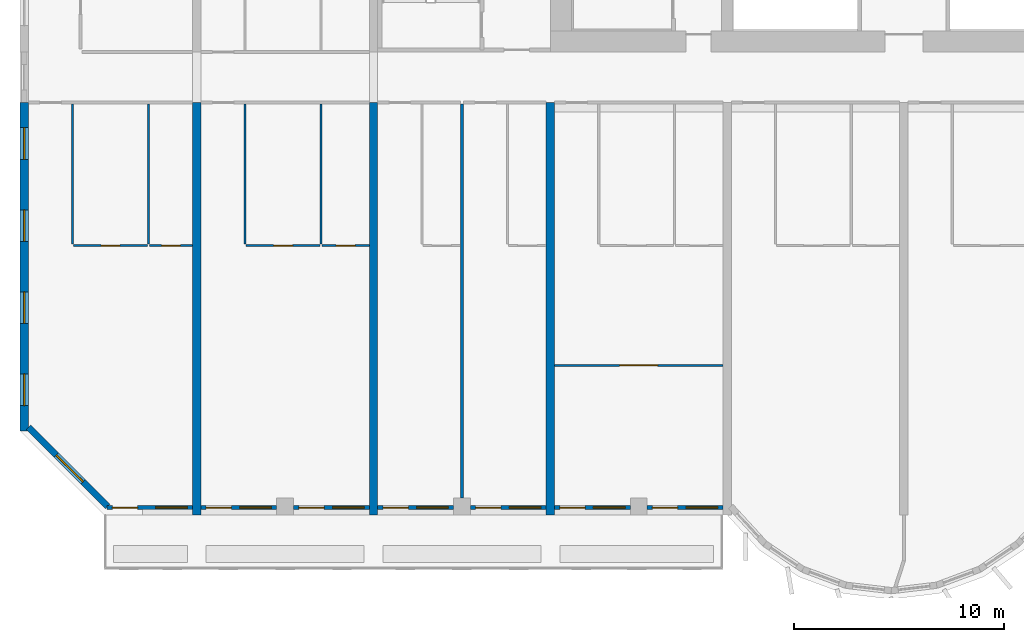
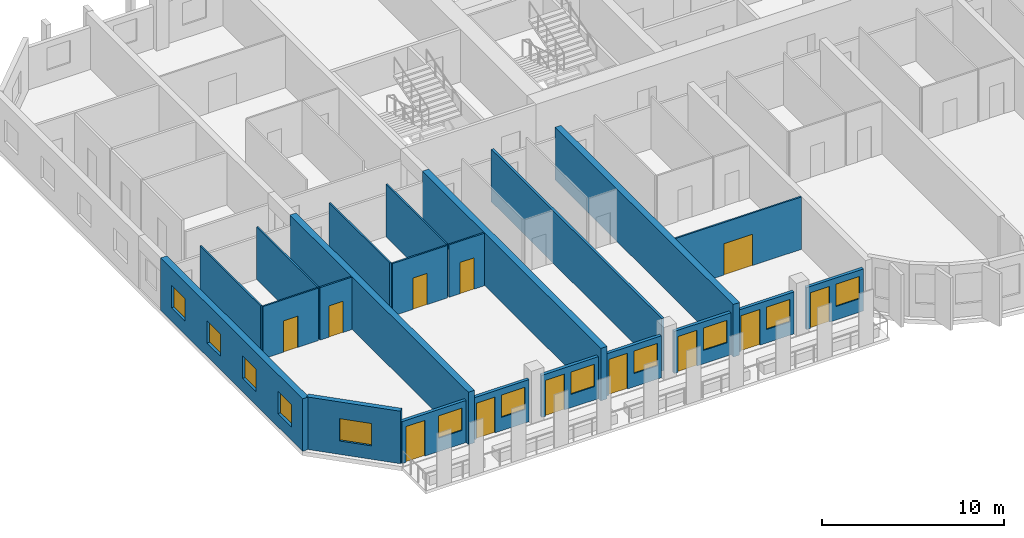
# One storey, part 2 of 15: 22 walls, 12 doors, 12 windows, 24 openings.
"""IFC4 building model written with IfcOpenShell, lengths in metres."""

from ifc_helpers import new_model, si_unit, direction, frame, frame_2d, origin, place, context, subcontext, project, spatial, rectangle, extrude, source, transform, mapped, material, layer, layer_set, type_object, element, fill, save


model = new_model("IFC4")

# Units and contexts
model_context = context("Model", 3, precision=1e-05, world=origin(), true_north=direction((0.0, 1.0)))
body_context = subcontext(model_context, "Body", "Model", "MODEL_VIEW")
ifc_project = project(units=[si_unit("LENGTHUNIT", "METRE"), si_unit("AREAUNIT", "SQUARE_METRE"), si_unit("VOLUMEUNIT", "CUBIC_METRE"), si_unit("PLANEANGLEUNIT", "RADIAN"), si_unit("MASSUNIT", "GRAM", prefix="KILO")], contexts=[model_context])

# Site, building, storey
site_placement = place(None, origin())
site = spatial("IfcSite", under=ifc_project, at=site_placement, CompositionType="ELEMENT")
building_placement = place(site_placement, origin())
building = spatial("IfcBuilding", under=site, at=building_placement, Name="Vanashikhar Sky Hotel", CompositionType="ELEMENT")
storey_placement = place(building_placement, frame((0.0, 0.0, 65.800048828125)))
storey = spatial("IfcBuildingStorey", under=building, at=storey_placement, Name="L15", CompositionType="ELEMENT", Elevation=65.800048828125)

# Wall, openings, windows
ifc_material_1 = material(Name="Concrete M80", Category="concrete")
ifc_layer_1 = layer(ifc_material_1, 0.39990234375)
ifc_layer_set_1 = layer_set([ifc_layer_1], Name="RC shear wall 400 Concrete M80")
wall_type_1 = type_object("IfcWallType", Name="RC shear wall 400 Concrete M80", PredefinedType="SHEAR", material=ifc_layer_set_1)
shared_shape_1 = source(origin(), body_context, "Body", "SweptSolid", [
    extrude(rectangle(XDim=15.60009765625, YDim=0.39990234375, at=frame_2d((7.800048828125, 0.0))), origin(), (0.0, 0.0, 1.0), 3.52001953125),
])
wall_1_placement = place(storey_placement, frame((0.199951171875, 4.0, 0.0), z_axis=(0.0, 0.0, 1.0), x_axis=(0.0, 1.0, 0.0)))
wall_1 = element("IfcWall", 1, at=wall_1_placement, inside=storey, type_object=wall_type_1, Name="CW-L15-XW01-1", PredefinedType="SHEAR", context=body_context, shape_type="MappedRepresentation", body=[
    mapped(shared_shape_1, transform((0.0, 0.0, 0.0), scale=1.0)),
])
shared_shape_2 = source(origin(), body_context, "Body", "SweptSolid", [
    extrude(rectangle(XDim=1.5, YDim=1.5, at=frame_2d((0.75, 0.75))), frame((0.0, 0.2099609375, 0.0), z_axis=(0.0, -1.0, 0.0), x_axis=(1.0, 0.0, 0.0)), (0.0, 0.0, 1.0), 0.419921875),
])
opening_1_placement = place(wall_1_placement, frame((1.199951171875, 0.0, 0.89990234375)))
opening_1 = element("IfcOpeningElement", 2, at=opening_1_placement, cuts=wall_1, Name="Opening WN-1", PredefinedType="OPENING", context=body_context, shape_type="MappedRepresentation", body=[
    mapped(shared_shape_2, transform((0.0, 0.0, 0.0), scale=1.0)),
])
opening_2_placement = place(wall_1_placement, frame((5.10009765625, 0.0, 0.89990234375)))
opening_2 = element("IfcOpeningElement", 3, at=opening_2_placement, cuts=wall_1, Name="Opening WN-1", PredefinedType="OPENING", context=body_context, shape_type="MappedRepresentation", body=[
    mapped(shared_shape_2, transform((0.0, 0.0, 0.0), scale=1.0)),
])
opening_3_placement = place(wall_1_placement, frame((9.0, 0.0, 0.89990234375)))
opening_3 = element("IfcOpeningElement", 4, at=opening_3_placement, cuts=wall_1, Name="Opening WN-1", PredefinedType="OPENING", context=body_context, shape_type="MappedRepresentation", body=[
    mapped(shared_shape_2, transform((0.0, 0.0, 0.0), scale=1.0)),
])
opening_4_placement = place(wall_1_placement, frame((12.89990234375, 0.0, 0.89990234375)))
opening_4 = element("IfcOpeningElement", 5, at=opening_4_placement, cuts=wall_1, Name="Opening WN-1", PredefinedType="OPENING", context=body_context, shape_type="MappedRepresentation", body=[
    mapped(shared_shape_2, transform((0.0, 0.0, 0.0), scale=1.0)),
])
ifc_material_2 = material(Name="Glass", Category="glass")
window_type_1 = type_object("IfcWindowType", Name="Window 1500 x 1500", PartitioningType="SINGLE_PANEL", PredefinedType="WINDOW", material=ifc_material_2)
shared_shape_3 = source(origin(), body_context, "Body", "SweptSolid", [
    extrude(rectangle(XDim=1.5, YDim=1.5, at=frame_2d((0.75, 0.75))), frame((0.0, 0.030029296875, 0.0), z_axis=(0.0, -1.0, 0.0), x_axis=(1.0, 0.0, 0.0)), (0.0, 0.0, 1.0), 0.06005859375),
])
window_1_placement = place(opening_1_placement, origin())
window_1 = element("IfcWindow", 6, at=window_1_placement, inside=storey, type_object=window_type_1, Name="Window WN-1", OverallHeight=1.5, OverallWidth=1.5, PartitioningType="SINGLE_PANEL", PredefinedType="WINDOW", context=body_context, shape_type="MappedRepresentation", body=[
    mapped(shared_shape_3, transform((0.0, 0.0, 0.0), scale=1.0)),
])
fill(opening_1, window_1)
window_2_placement = place(opening_2_placement, origin())
window_2 = element("IfcWindow", 7, at=window_2_placement, inside=storey, type_object=window_type_1, Name="Window WN-1", OverallHeight=1.5, OverallWidth=1.5, PartitioningType="SINGLE_PANEL", PredefinedType="WINDOW", context=body_context, shape_type="MappedRepresentation", body=[
    mapped(shared_shape_3, transform((0.0, 0.0, 0.0), scale=1.0)),
])
fill(opening_2, window_2)
window_3_placement = place(opening_3_placement, origin())
window_3 = element("IfcWindow", 8, at=window_3_placement, inside=storey, type_object=window_type_1, Name="Window WN-1", OverallHeight=1.5, OverallWidth=1.5, PartitioningType="SINGLE_PANEL", PredefinedType="WINDOW", context=body_context, shape_type="MappedRepresentation", body=[
    mapped(shared_shape_3, transform((0.0, 0.0, 0.0), scale=1.0)),
])
fill(opening_3, window_3)
window_4_placement = place(opening_4_placement, origin())
window_4 = element("IfcWindow", 9, at=window_4_placement, inside=storey, type_object=window_type_1, Name="Window WN-1", OverallHeight=1.5, OverallWidth=1.5, PartitioningType="SINGLE_PANEL", PredefinedType="WINDOW", context=body_context, shape_type="MappedRepresentation", body=[
    mapped(shared_shape_3, transform((0.0, 0.0, 0.0), scale=1.0)),
])
fill(opening_4, window_4)

# Walls
shared_shape_4 = source(origin(), body_context, "Body", "SweptSolid", [
    extrude(rectangle(XDim=19.60009765625, YDim=0.39990234375, at=frame_2d((9.800048828125, 0.0))), origin(), (0.0, 0.0, 1.0), 3.52001953125),
])
for number, where, z_axis, x_axis, name in (
    (10, (8.39990234375, 0.0, 0.0), (0.0, 0.0, 1.0), (0.0, 1.0, 0.0), "CW-L15-XW02-1"),
    (11, (16.800048828125, 0.0, 0.0), (0.0, 0.0, 1.0), (0.0, 1.0, 0.0), "CW-L15-XW03-1"),
    (12, (25.199951171875, 0.0, 0.0), (0.0, 0.0, 1.0), (0.0, 1.0, 0.0), "CW-L15-XW04-1"),
):
    element("IfcWall", number, at=place(storey_placement, frame(where, z_axis=z_axis, x_axis=x_axis)), inside=storey, type_object=wall_type_1, Name=name, PredefinedType="SHEAR", context=body_context, shape_type="MappedRepresentation", body=[
        mapped(shared_shape_4, transform((0.0, 0.0, 0.0), scale=1.0)),
    ])

# Wall, opening, window
ifc_material_3 = material(Name="Concrete M50", Category="concrete")
ifc_layer_2 = layer(ifc_material_3, 0.300048828125)
ifc_layer_set_2 = layer_set([ifc_layer_2], Name="Lobe wall 300")
wall_type_2 = type_object("IfcWallType", Name="Lobe wall 300", PredefinedType="SOLIDWALL", material=ifc_layer_set_2)
shared_shape_5 = source(origin(), body_context, "Body", "SweptSolid", [
    extrude(rectangle(XDim=5.32568359375, YDim=0.300048828125, at=frame_2d((2.662841796875, 0.0))), origin(), (0.0, 0.0, 1.0), 3.52001953125),
])
wall_2_placement = place(storey_placement, frame((0.39990234375, 4.165771484375, 0.0), z_axis=(0.0, 0.0, 1.0), x_axis=(0.707106781187, -0.707106781187, 0.0)))
wall_2 = element("IfcWall", 13, at=wall_2_placement, inside=storey, type_object=wall_type_2, Name="Corner wall", PredefinedType="SOLIDWALL", context=body_context, shape_type="MappedRepresentation", body=[
    mapped(shared_shape_5, transform((0.0, 0.0, 0.0), scale=1.0)),
])
shared_shape_6 = source(origin(), body_context, "Body", "SweptSolid", [
    extrude(rectangle(XDim=1.800048828125, YDim=1.5, at=frame_2d((0.89990234375, 0.75))), frame((0.0, 0.16015625, 0.0), z_axis=(0.0, -1.0, 0.0), x_axis=(1.0, 0.0, 0.0)), (0.0, 0.0, 1.0), 0.320068359375),
])
opening_5_placement = place(wall_2_placement, frame((1.871337890625, 0.0, 0.89990234375)))
opening_5 = element("IfcOpeningElement", 14, at=opening_5_placement, cuts=wall_2, Name="Opening WN-4", PredefinedType="OPENING", context=body_context, shape_type="MappedRepresentation", body=[
    mapped(shared_shape_6, transform((0.0, 0.0, 0.0), scale=1.0)),
])
window_type_2 = type_object("IfcWindowType", Name="Corner window 1800 x 1500", PartitioningType="SINGLE_PANEL", PredefinedType="WINDOW", material=ifc_material_2)
shared_shape_7 = source(origin(), body_context, "Body", "SweptSolid", [
    extrude(rectangle(XDim=1.800048828125, YDim=1.5, at=frame_2d((0.89990234375, 0.75))), frame((0.0, 0.030029296875, 0.0), z_axis=(0.0, -1.0, 0.0), x_axis=(1.0, 0.0, 0.0)), (0.0, 0.0, 1.0), 0.06005859375),
])
window_5_placement = place(opening_5_placement, origin())
window_5 = element("IfcWindow", 15, at=window_5_placement, inside=storey, type_object=window_type_2, Name="Window WN-4", OverallHeight=1.5, OverallWidth=1.800048828125, PartitioningType="SINGLE_PANEL", PredefinedType="WINDOW", context=body_context, shape_type="MappedRepresentation", body=[
    mapped(shared_shape_7, transform((0.0, 0.0, 0.0), scale=1.0)),
])
fill(opening_5, window_5)

# Wall, openings, window, door
ifc_layer_3 = layer(ifc_material_3, 0.199951171875)
ifc_layer_set_3 = layer_set([ifc_layer_3], Name="Front window wall 200")
wall_type_3 = type_object("IfcWallType", Name="Front window wall 200", PredefinedType="SOLIDWALL", material=ifc_layer_set_3)
shared_shape_8 = source(origin(), body_context, "Body", "SweptSolid", [
    extrude(rectangle(XDim=4.054931640625, YDim=0.199951171875, at=frame_2d((2.02734375, 0.0))), origin(), (0.0, 0.0, 1.0), 2.820068359375),
])
wall_3_placement = place(storey_placement, frame((4.14501953125, 0.35009765625, 0.0), z_axis=(0.0, 0.0, 1.0), x_axis=(1.0, 0.0, 0.0)))
wall_3 = element("IfcWall", 16, at=wall_3_placement, inside=storey, type_object=wall_type_3, Name="Front window wall", PredefinedType="SOLIDWALL", context=body_context, shape_type="MappedRepresentation", body=[
    mapped(shared_shape_8, transform((0.0, 0.0, 0.0), scale=1.0)),
])
shared_shape_9 = source(origin(), body_context, "Body", "SweptSolid", [
    extrude(rectangle(XDim=1.199951171875, YDim=2.39990234375, at=frame_2d((0.60009765625, 1.199951171875))), frame((0.0, 0.10986328125, 0.0), z_axis=(0.0, -1.0, 0.0), x_axis=(1.0, 0.0, 0.0)), (0.0, 0.0, 1.0), 0.219970703125),
])
opening_6_placement = place(wall_3_placement, frame((0.25, 0.0, 0.0)))
opening_6 = element("IfcOpeningElement", 17, at=opening_6_placement, cuts=wall_3, Name="Opening BD-01", PredefinedType="OPENING", context=body_context, shape_type="MappedRepresentation", body=[
    mapped(shared_shape_9, transform((0.0, 0.0, 0.0), scale=1.0)),
])
shared_shape_10 = source(origin(), body_context, "Body", "SweptSolid", [
    extrude(rectangle(XDim=1.5, YDim=1.5, at=frame_2d((0.75, 0.75))), frame((0.0, 0.10986328125, 0.0), z_axis=(0.0, -1.0, 0.0), x_axis=(1.0, 0.0, 0.0)), (0.0, 0.0, 1.0), 0.219970703125),
])
opening_7_placement = place(wall_3_placement, frame((2.304931640625, 0.0, 0.89990234375)))
opening_7 = element("IfcOpeningElement", 18, at=opening_7_placement, cuts=wall_3, Name="Opening WN-1", PredefinedType="OPENING", context=body_context, shape_type="MappedRepresentation", body=[
    mapped(shared_shape_10, transform((0.0, 0.0, 0.0), scale=1.0)),
])
window_6_placement = place(opening_7_placement, origin())
window_6 = element("IfcWindow", 19, at=window_6_placement, inside=storey, type_object=window_type_1, Name="Window WN-1", OverallHeight=1.5, OverallWidth=1.5, PartitioningType="SINGLE_PANEL", PredefinedType="WINDOW", context=body_context, shape_type="MappedRepresentation", body=[
    mapped(shared_shape_3, transform((0.0, 0.0, 0.0), scale=1.0)),
])
fill(opening_7, window_6)
ifc_material_4 = material(Name="Aluminium", Category="aluminium")
door_type_1 = type_object("IfcDoorType", Name="Balcony sliding door 1200 x 2400", OperationType="NOTDEFINED", PredefinedType="DOOR", material=ifc_material_4)
shared_shape_11 = source(origin(), body_context, "Body", "SweptSolid", [
    extrude(rectangle(XDim=1.199951171875, YDim=2.39990234375, at=frame_2d((0.60009765625, 1.199951171875))), frame((0.0, 0.02490234375, 0.0), z_axis=(0.0, -1.0, 0.0), x_axis=(1.0, 0.0, 0.0)), (0.0, 0.0, 1.0), 0.050048828125),
])
door_1_placement = place(opening_6_placement, origin())
door_1 = element("IfcDoor", 20, at=door_1_placement, inside=storey, type_object=door_type_1, Name="Balcony sliding door", OperationType="SLIDING_TO_LEFT", OverallHeight=2.39990234375, OverallWidth=1.199951171875, PredefinedType="DOOR", context=body_context, shape_type="MappedRepresentation", body=[
    mapped(shared_shape_11, transform((0.0, 0.0, 0.0), scale=1.0)),
])
fill(opening_6, door_1)

shared_shape_12 = source(origin(), body_context, "Body", "SweptSolid", [
    extrude(rectangle(XDim=3.599853515625, YDim=0.199951171875, at=frame_2d((1.7998046875, 0.0))), origin(), (0.0, 0.0, 1.0), 2.820068359375),
])
wall_4_placement = place(storey_placement, frame((8.60009765625, 0.35009765625, 0.0), z_axis=(0.0, 0.0, 1.0), x_axis=(1.0, 0.0, 0.0)))
wall_4 = element("IfcWall", 21, at=wall_4_placement, inside=storey, type_object=wall_type_3, Name="Front window wall", PredefinedType="SOLIDWALL", context=body_context, shape_type="MappedRepresentation", body=[
    mapped(shared_shape_12, transform((0.0, 0.0, 0.0), scale=1.0)),
])
opening_8_placement = place(wall_4_placement, frame((0.25, 0.0, 0.0)))
opening_8 = element("IfcOpeningElement", 22, at=opening_8_placement, cuts=wall_4, Name="Opening BD-02", PredefinedType="OPENING", context=body_context, shape_type="MappedRepresentation", body=[
    mapped(shared_shape_9, transform((0.0, 0.0, 0.0), scale=1.0)),
])
opening_9_placement = place(wall_4_placement, frame((1.85009765625, 0.0, 0.89990234375)))
opening_9 = element("IfcOpeningElement", 23, at=opening_9_placement, cuts=wall_4, Name="Opening WN-1", PredefinedType="OPENING", context=body_context, shape_type="MappedRepresentation", body=[
    mapped(shared_shape_10, transform((0.0, 0.0, 0.0), scale=1.0)),
])
window_7_placement = place(opening_9_placement, origin())
window_7 = element("IfcWindow", 24, at=window_7_placement, inside=storey, type_object=window_type_1, Name="Window WN-1", OverallHeight=1.5, OverallWidth=1.5, PartitioningType="SINGLE_PANEL", PredefinedType="WINDOW", context=body_context, shape_type="MappedRepresentation", body=[
    mapped(shared_shape_3, transform((0.0, 0.0, 0.0), scale=1.0)),
])
fill(opening_9, window_7)
door_2_placement = place(opening_8_placement, origin())
door_2 = element("IfcDoor", 25, at=door_2_placement, inside=storey, type_object=door_type_1, Name="Balcony sliding door", OperationType="SLIDING_TO_RIGHT", OverallHeight=2.39990234375, OverallWidth=1.199951171875, PredefinedType="DOOR", context=body_context, shape_type="MappedRepresentation", body=[
    mapped(shared_shape_11, transform((0.0, 0.0, 0.0), scale=1.0)),
])
fill(opening_8, door_2)

wall_5_placement = place(storey_placement, frame((29.800048828125, 0.35009765625, 0.0), z_axis=(0.0, 0.0, 1.0), x_axis=(1.0, 0.0, 0.0)))
wall_5 = element("IfcWall", 26, at=wall_5_placement, inside=storey, type_object=wall_type_3, Name="Front window wall", PredefinedType="SOLIDWALL", context=body_context, shape_type="MappedRepresentation", body=[
    mapped(shared_shape_12, transform((0.0, 0.0, 0.0), scale=1.0)),
])
opening_10_placement = place(wall_5_placement, frame((0.25, 0.0, 0.0)))
opening_10 = element("IfcOpeningElement", 27, at=opening_10_placement, cuts=wall_5, Name="Opening BD-07", PredefinedType="OPENING", context=body_context, shape_type="MappedRepresentation", body=[
    mapped(shared_shape_9, transform((0.0, 0.0, 0.0), scale=1.0)),
])
opening_11_placement = place(wall_5_placement, frame((1.85009765625, 0.0, 0.89990234375)))
opening_11 = element("IfcOpeningElement", 28, at=opening_11_placement, cuts=wall_5, Name="Opening WN-1", PredefinedType="OPENING", context=body_context, shape_type="MappedRepresentation", body=[
    mapped(shared_shape_10, transform((0.0, 0.0, 0.0), scale=1.0)),
])
window_8_placement = place(opening_11_placement, origin())
window_8 = element("IfcWindow", 29, at=window_8_placement, inside=storey, type_object=window_type_1, Name="Window WN-1", OverallHeight=1.5, OverallWidth=1.5, PartitioningType="SINGLE_PANEL", PredefinedType="WINDOW", context=body_context, shape_type="MappedRepresentation", body=[
    mapped(shared_shape_3, transform((0.0, 0.0, 0.0), scale=1.0)),
])
fill(opening_11, window_8)
door_3_placement = place(opening_10_placement, origin())
door_3 = element("IfcDoor", 30, at=door_3_placement, inside=storey, type_object=door_type_1, Name="Balcony sliding door", OperationType="SLIDING_TO_LEFT", OverallHeight=2.39990234375, OverallWidth=1.199951171875, PredefinedType="DOOR", context=body_context, shape_type="MappedRepresentation", body=[
    mapped(shared_shape_11, transform((0.0, 0.0, 0.0), scale=1.0)),
])
fill(opening_10, door_3)

shared_shape_13 = source(origin(), body_context, "Body", "SweptSolid", [
    extrude(rectangle(XDim=3.60009765625, YDim=0.199951171875, at=frame_2d((1.800048828125, 0.0))), origin(), (0.0, 0.0, 1.0), 2.820068359375),
])
wall_6_placement = place(storey_placement, frame((13.0, 0.35009765625, 0.0), z_axis=(0.0, 0.0, 1.0), x_axis=(1.0, 0.0, 0.0)))
wall_6 = element("IfcWall", 31, at=wall_6_placement, inside=storey, type_object=wall_type_3, Name="Front window wall", PredefinedType="SOLIDWALL", context=body_context, shape_type="MappedRepresentation", body=[
    mapped(shared_shape_13, transform((0.0, 0.0, 0.0), scale=1.0)),
])
opening_12_placement = place(wall_6_placement, frame((0.25, 0.0, 0.0)))
opening_12 = element("IfcOpeningElement", 32, at=opening_12_placement, cuts=wall_6, Name="Opening BD-03", PredefinedType="OPENING", context=body_context, shape_type="MappedRepresentation", body=[
    mapped(shared_shape_9, transform((0.0, 0.0, 0.0), scale=1.0)),
])
opening_13_placement = place(wall_6_placement, frame((1.85009765625, 0.0, 0.89990234375)))
opening_13 = element("IfcOpeningElement", 33, at=opening_13_placement, cuts=wall_6, Name="Opening WN-1", PredefinedType="OPENING", context=body_context, shape_type="MappedRepresentation", body=[
    mapped(shared_shape_10, transform((0.0, 0.0, 0.0), scale=1.0)),
])
window_9_placement = place(opening_13_placement, origin())
window_9 = element("IfcWindow", 34, at=window_9_placement, inside=storey, type_object=window_type_1, Name="Window WN-1", OverallHeight=1.5, OverallWidth=1.5, PartitioningType="SINGLE_PANEL", PredefinedType="WINDOW", context=body_context, shape_type="MappedRepresentation", body=[
    mapped(shared_shape_3, transform((0.0, 0.0, 0.0), scale=1.0)),
])
fill(opening_13, window_9)
door_4_placement = place(opening_12_placement, origin())
door_4 = element("IfcDoor", 35, at=door_4_placement, inside=storey, type_object=door_type_1, Name="Balcony sliding door", OperationType="SLIDING_TO_LEFT", OverallHeight=2.39990234375, OverallWidth=1.199951171875, PredefinedType="DOOR", context=body_context, shape_type="MappedRepresentation", body=[
    mapped(shared_shape_11, transform((0.0, 0.0, 0.0), scale=1.0)),
])
fill(opening_12, door_4)

wall_7_placement = place(storey_placement, frame((17.0, 0.35009765625, 0.0), z_axis=(0.0, 0.0, 1.0), x_axis=(1.0, 0.0, 0.0)))
wall_7 = element("IfcWall", 36, at=wall_7_placement, inside=storey, type_object=wall_type_3, Name="Front window wall", PredefinedType="SOLIDWALL", context=body_context, shape_type="MappedRepresentation", body=[
    mapped(shared_shape_13, transform((0.0, 0.0, 0.0), scale=1.0)),
])
opening_14_placement = place(wall_7_placement, frame((0.25, 0.0, 0.0)))
opening_14 = element("IfcOpeningElement", 37, at=opening_14_placement, cuts=wall_7, Name="Opening BD-04", PredefinedType="OPENING", context=body_context, shape_type="MappedRepresentation", body=[
    mapped(shared_shape_9, transform((0.0, 0.0, 0.0), scale=1.0)),
])
opening_15_placement = place(wall_7_placement, frame((1.85009765625, 0.0, 0.89990234375)))
opening_15 = element("IfcOpeningElement", 38, at=opening_15_placement, cuts=wall_7, Name="Opening WN-1", PredefinedType="OPENING", context=body_context, shape_type="MappedRepresentation", body=[
    mapped(shared_shape_10, transform((0.0, 0.0, 0.0), scale=1.0)),
])
window_10_placement = place(opening_15_placement, origin())
window_10 = element("IfcWindow", 39, at=window_10_placement, inside=storey, type_object=window_type_1, Name="Window WN-1", OverallHeight=1.5, OverallWidth=1.5, PartitioningType="SINGLE_PANEL", PredefinedType="WINDOW", context=body_context, shape_type="MappedRepresentation", body=[
    mapped(shared_shape_3, transform((0.0, 0.0, 0.0), scale=1.0)),
])
fill(opening_15, window_10)
door_5_placement = place(opening_14_placement, origin())
door_5 = element("IfcDoor", 40, at=door_5_placement, inside=storey, type_object=door_type_1, Name="Balcony sliding door", OperationType="SLIDING_TO_RIGHT", OverallHeight=2.39990234375, OverallWidth=1.199951171875, PredefinedType="DOOR", context=body_context, shape_type="MappedRepresentation", body=[
    mapped(shared_shape_11, transform((0.0, 0.0, 0.0), scale=1.0)),
])
fill(opening_14, door_5)

wall_8_placement = place(storey_placement, frame((21.39990234375, 0.35009765625, 0.0), z_axis=(0.0, 0.0, 1.0), x_axis=(1.0, 0.0, 0.0)))
wall_8 = element("IfcWall", 41, at=wall_8_placement, inside=storey, type_object=wall_type_3, Name="Front window wall", PredefinedType="SOLIDWALL", context=body_context, shape_type="MappedRepresentation", body=[
    mapped(shared_shape_13, transform((0.0, 0.0, 0.0), scale=1.0)),
])
opening_16_placement = place(wall_8_placement, frame((0.25, 0.0, 0.0)))
opening_16 = element("IfcOpeningElement", 42, at=opening_16_placement, cuts=wall_8, Name="Opening BD-05", PredefinedType="OPENING", context=body_context, shape_type="MappedRepresentation", body=[
    mapped(shared_shape_9, transform((0.0, 0.0, 0.0), scale=1.0)),
])
opening_17_placement = place(wall_8_placement, frame((1.85009765625, 0.0, 0.89990234375)))
opening_17 = element("IfcOpeningElement", 43, at=opening_17_placement, cuts=wall_8, Name="Opening WN-1", PredefinedType="OPENING", context=body_context, shape_type="MappedRepresentation", body=[
    mapped(shared_shape_10, transform((0.0, 0.0, 0.0), scale=1.0)),
])
window_11_placement = place(opening_17_placement, origin())
window_11 = element("IfcWindow", 44, at=window_11_placement, inside=storey, type_object=window_type_1, Name="Window WN-1", OverallHeight=1.5, OverallWidth=1.5, PartitioningType="SINGLE_PANEL", PredefinedType="WINDOW", context=body_context, shape_type="MappedRepresentation", body=[
    mapped(shared_shape_3, transform((0.0, 0.0, 0.0), scale=1.0)),
])
fill(opening_17, window_11)
door_6_placement = place(opening_16_placement, origin())
door_6 = element("IfcDoor", 45, at=door_6_placement, inside=storey, type_object=door_type_1, Name="Balcony sliding door", OperationType="SLIDING_TO_LEFT", OverallHeight=2.39990234375, OverallWidth=1.199951171875, PredefinedType="DOOR", context=body_context, shape_type="MappedRepresentation", body=[
    mapped(shared_shape_11, transform((0.0, 0.0, 0.0), scale=1.0)),
])
fill(opening_16, door_6)

wall_9_placement = place(storey_placement, frame((25.39990234375, 0.35009765625, 0.0), z_axis=(0.0, 0.0, 1.0), x_axis=(1.0, 0.0, 0.0)))
wall_9 = element("IfcWall", 46, at=wall_9_placement, inside=storey, type_object=wall_type_3, Name="Front window wall", PredefinedType="SOLIDWALL", context=body_context, shape_type="MappedRepresentation", body=[
    mapped(shared_shape_13, transform((0.0, 0.0, 0.0), scale=1.0)),
])
opening_18_placement = place(wall_9_placement, frame((0.25, 0.0, 0.0)))
opening_18 = element("IfcOpeningElement", 47, at=opening_18_placement, cuts=wall_9, Name="Opening BD-06", PredefinedType="OPENING", context=body_context, shape_type="MappedRepresentation", body=[
    mapped(shared_shape_9, transform((0.0, 0.0, 0.0), scale=1.0)),
])
opening_19_placement = place(wall_9_placement, frame((1.85009765625, 0.0, 0.89990234375)))
opening_19 = element("IfcOpeningElement", 48, at=opening_19_placement, cuts=wall_9, Name="Opening WN-1", PredefinedType="OPENING", context=body_context, shape_type="MappedRepresentation", body=[
    mapped(shared_shape_10, transform((0.0, 0.0, 0.0), scale=1.0)),
])
window_12_placement = place(opening_19_placement, origin())
window_12 = element("IfcWindow", 49, at=window_12_placement, inside=storey, type_object=window_type_1, Name="Window WN-1", OverallHeight=1.5, OverallWidth=1.5, PartitioningType="SINGLE_PANEL", PredefinedType="WINDOW", context=body_context, shape_type="MappedRepresentation", body=[
    mapped(shared_shape_3, transform((0.0, 0.0, 0.0), scale=1.0)),
])
fill(opening_19, window_12)
door_7_placement = place(opening_18_placement, origin())
door_7 = element("IfcDoor", 50, at=door_7_placement, inside=storey, type_object=door_type_1, Name="Balcony sliding door", OperationType="SLIDING_TO_RIGHT", OverallHeight=2.39990234375, OverallWidth=1.199951171875, PredefinedType="DOOR", context=body_context, shape_type="MappedRepresentation", body=[
    mapped(shared_shape_11, transform((0.0, 0.0, 0.0), scale=1.0)),
])
fill(opening_18, door_7)

# Wall, opening, door
ifc_material_5 = material(Name="Gypsum plasterboard partition")
ifc_layer_4 = layer(ifc_material_5, 0.10009765625)
ifc_layer_set_4 = layer_set([ifc_layer_4], Name="Wet room partition 100")
wall_type_4 = type_object("IfcWallType", Name="Wet room partition 100", PredefinedType="PARTITIONING", material=ifc_layer_set_4)
shared_shape_14 = source(origin(), body_context, "Body", "SweptSolid", [
    extrude(rectangle(XDim=2.050048828125, YDim=0.10009765625, at=frame_2d((1.02490234375, 0.0))), origin(), (0.0, 0.0, 1.0), 3.52001953125),
])
wall_10_placement = place(storey_placement, frame((6.14990234375, 12.800048828125, 0.0), z_axis=(0.0, 0.0, 1.0), x_axis=(1.0, 0.0, 0.0)))
wall_10 = element("IfcWall", 51, at=wall_10_placement, inside=storey, type_object=wall_type_4, Name="W-L15-PW004", PredefinedType="PARTITIONING", context=body_context, shape_type="MappedRepresentation", body=[
    mapped(shared_shape_14, transform((0.0, 0.0, 0.0), scale=1.0)),
])
shared_shape_15 = source(origin(), body_context, "Body", "SweptSolid", [
    extrude(rectangle(XDim=0.89990234375, YDim=2.10009765625, at=frame_2d((0.449951171875, 1.050048828125))), frame((0.0, 0.06005859375, 0.0), z_axis=(0.0, -1.0, 0.0), x_axis=(1.0, 0.0, 0.0)), (0.0, 0.0, 1.0), 0.1201171875),
])
opening_20_placement = place(wall_10_placement, frame((0.574951171875, 0.0, 0.0)))
opening_20 = element("IfcOpeningElement", 52, at=opening_20_placement, cuts=wall_10, Name="Opening D-02", PredefinedType="OPENING", context=body_context, shape_type="MappedRepresentation", body=[
    mapped(shared_shape_15, transform((0.0, 0.0, 0.0), scale=1.0)),
])
ifc_material_6 = material(Name="Timber door", Category="wood")
door_type_2 = type_object("IfcDoorType", Name="Internal door 900", OperationType="NOTDEFINED", PredefinedType="DOOR", material=ifc_material_6)
shared_shape_16 = source(origin(), body_context, "Body", "SweptSolid", [
    extrude(rectangle(XDim=0.89990234375, YDim=2.10009765625, at=frame_2d((0.449951171875, 1.050048828125))), frame((0.0, 0.02490234375, 0.0), z_axis=(0.0, -1.0, 0.0), x_axis=(1.0, 0.0, 0.0)), (0.0, 0.0, 1.0), 0.050048828125),
])
door_8_placement = place(opening_20_placement, origin())
door_8 = element("IfcDoor", 53, at=door_8_placement, inside=storey, type_object=door_type_2, Name="D-L15-002", OperationType="SINGLE_SWING_LEFT", OverallHeight=2.10009765625, OverallWidth=0.89990234375, PredefinedType="DOOR", context=body_context, shape_type="MappedRepresentation", body=[
    mapped(shared_shape_16, transform((0.0, 0.0, 0.0), scale=1.0)),
])
fill(opening_20, door_8)

shared_shape_17 = source(origin(), body_context, "Body", "SweptSolid", [
    extrude(rectangle(XDim=3.5, YDim=0.10009765625, at=frame_2d((1.75, 0.0))), origin(), (0.0, 0.0, 1.0), 3.52001953125),
])
wall_11_placement = place(storey_placement, frame((2.550048828125, 12.800048828125, 0.0), z_axis=(0.0, 0.0, 1.0), x_axis=(1.0, 0.0, 0.0)))
wall_11 = element("IfcWall", 54, at=wall_11_placement, inside=storey, type_object=wall_type_4, Name="W-L15-PW003", PredefinedType="PARTITIONING", context=body_context, shape_type="MappedRepresentation", body=[
    mapped(shared_shape_17, transform((0.0, 0.0, 0.0), scale=1.0)),
])
opening_21_placement = place(wall_11_placement, frame((1.300048828125, 0.0, 0.0)))
opening_21 = element("IfcOpeningElement", 55, at=opening_21_placement, cuts=wall_11, Name="Opening D-02", PredefinedType="OPENING", context=body_context, shape_type="MappedRepresentation", body=[
    mapped(shared_shape_15, transform((0.0, 0.0, 0.0), scale=1.0)),
])
door_9_placement = place(opening_21_placement, origin())
door_9 = element("IfcDoor", 56, at=door_9_placement, inside=storey, type_object=door_type_2, Name="D-L15-001", OperationType="SINGLE_SWING_LEFT", OverallHeight=2.10009765625, OverallWidth=0.89990234375, PredefinedType="DOOR", context=body_context, shape_type="MappedRepresentation", body=[
    mapped(shared_shape_16, transform((0.0, 0.0, 0.0), scale=1.0)),
])
fill(opening_21, door_9)

wall_12_placement = place(storey_placement, frame((10.75, 12.800048828125, 0.0), z_axis=(0.0, 0.0, 1.0), x_axis=(1.0, 0.0, 0.0)))
wall_12 = element("IfcWall", 57, at=wall_12_placement, inside=storey, type_object=wall_type_4, Name="W-L15-PW008", PredefinedType="PARTITIONING", context=body_context, shape_type="MappedRepresentation", body=[
    mapped(shared_shape_17, transform((0.0, 0.0, 0.0), scale=1.0)),
])
opening_22_placement = place(wall_12_placement, frame((1.300048828125, 0.0, 0.0)))
opening_22 = element("IfcOpeningElement", 58, at=opening_22_placement, cuts=wall_12, Name="Opening D-02", PredefinedType="OPENING", context=body_context, shape_type="MappedRepresentation", body=[
    mapped(shared_shape_15, transform((0.0, 0.0, 0.0), scale=1.0)),
])
door_10_placement = place(opening_22_placement, origin())
door_10 = element("IfcDoor", 59, at=door_10_placement, inside=storey, type_object=door_type_2, Name="D-L15-004", OperationType="SINGLE_SWING_LEFT", OverallHeight=2.10009765625, OverallWidth=0.89990234375, PredefinedType="DOOR", context=body_context, shape_type="MappedRepresentation", body=[
    mapped(shared_shape_16, transform((0.0, 0.0, 0.0), scale=1.0)),
])
fill(opening_22, door_10)

# Wall
ifc_layer_5 = layer(ifc_material_5, 0.14990234375)
ifc_layer_set_5 = layer_set([ifc_layer_5], Name="Corridor and demising partition 150")
wall_type_5 = type_object("IfcWallType", Name="Corridor and demising partition 150", PredefinedType="PARTITIONING", material=ifc_layer_set_5)
shared_shape_18 = source(origin(), body_context, "Body", "SweptSolid", [
    extrude(rectangle(XDim=18.724853515625, YDim=0.14990234375, at=frame_2d((9.3623046875, 0.0))), origin(), (0.0, 0.0, 1.0), 3.52001953125),
])
wall_13_placement = place(storey_placement, frame((21.0, 0.800048828125, 0.0), z_axis=(0.0, 0.0, 1.0), x_axis=(0.0, 1.0, 0.0)))
element("IfcWall", 60, at=wall_13_placement, inside=storey, type_object=wall_type_5, Name="W-L15-PW017", PredefinedType="PARTITIONING", context=body_context, shape_type="MappedRepresentation", body=[
    mapped(shared_shape_18, transform((0.0, 0.0, 0.0), scale=1.0)),
])

# Wall, opening, door
shared_shape_19 = source(origin(), body_context, "Body", "SweptSolid", [
    extrude(rectangle(XDim=8.0, YDim=0.10009765625, at=frame_2d((4.0, 0.0))), origin(), (0.0, 0.0, 1.0), 3.52001953125),
])
wall_14_placement = place(storey_placement, frame((25.39990234375, 7.10791015625, 0.0), z_axis=(0.0, 0.0, 1.0), x_axis=(1.0, 0.0, 0.0)))
wall_14 = element("IfcWall", 61, at=wall_14_placement, inside=storey, type_object=wall_type_4, Name="W-L15-PW022", PredefinedType="PARTITIONING", context=body_context, shape_type="MappedRepresentation", body=[
    mapped(shared_shape_19, transform((0.0, 0.0, 0.0), scale=1.0)),
])
shared_shape_20 = source(origin(), body_context, "Body", "SweptSolid", [
    extrude(rectangle(XDim=1.800048828125, YDim=2.10009765625, at=frame_2d((0.89990234375, 1.050048828125))), frame((0.0, 0.06005859375, 0.0), z_axis=(0.0, -1.0, 0.0), x_axis=(1.0, 0.0, 0.0)), (0.0, 0.0, 1.0), 0.1201171875),
])
opening_23_placement = place(wall_14_placement, frame((3.10009765625, 0.0, 0.0)))
opening_23 = element("IfcOpeningElement", 62, at=opening_23_placement, cuts=wall_14, Name="Opening D-08", PredefinedType="OPENING", context=body_context, shape_type="MappedRepresentation", body=[
    mapped(shared_shape_20, transform((0.0, 0.0, 0.0), scale=1.0)),
])
door_type_3 = type_object("IfcDoorType", Name="Double leaf door 1800", OperationType="NOTDEFINED", PredefinedType="DOOR", material=ifc_material_6)
shared_shape_21 = source(origin(), body_context, "Body", "SweptSolid", [
    extrude(rectangle(XDim=1.800048828125, YDim=2.10009765625, at=frame_2d((0.89990234375, 1.050048828125))), frame((0.0, 0.02490234375, 0.0), z_axis=(0.0, -1.0, 0.0), x_axis=(1.0, 0.0, 0.0)), (0.0, 0.0, 1.0), 0.050048828125),
])
door_11_placement = place(opening_23_placement, origin())
door_11 = element("IfcDoor", 63, at=door_11_placement, inside=storey, type_object=door_type_3, Name="D-L15-013", OperationType="DOUBLE_DOOR_SINGLE_SWING", OverallHeight=2.10009765625, OverallWidth=1.800048828125, PredefinedType="DOOR", context=body_context, shape_type="MappedRepresentation", body=[
    mapped(shared_shape_21, transform((0.0, 0.0, 0.0), scale=1.0)),
])
fill(opening_23, door_11)

# Walls
shared_shape_22 = source(origin(), body_context, "Body", "SweptSolid", [
    extrude(rectangle(XDim=6.64990234375, YDim=0.10009765625, at=frame_2d((3.324951171875, 0.0))), origin(), (0.0, 0.0, 1.0), 3.52001953125),
])
for number, where, z_axis, x_axis, name in (
    (64, (2.5, 12.875, 0.0), (0.0, 0.0, 1.0), (0.0, 1.0, 0.0), "W-L15-PW001"),
    (65, (6.10009765625, 12.875, 0.0), (0.0, 0.0, 1.0), (0.0, 1.0, 0.0), "W-L15-PW002"),
    (66, (10.699951171875, 12.875, 0.0), (0.0, 0.0, 1.0), (0.0, 1.0, 0.0), "W-L15-PW006"),
    (67, (14.300048828125, 12.875, 0.0), (0.0, 0.0, 1.0), (0.0, 1.0, 0.0), "W-L15-PW007"),
):
    element("IfcWall", number, at=place(storey_placement, frame(where, z_axis=z_axis, x_axis=x_axis)), inside=storey, type_object=wall_type_4, Name=name, PredefinedType="PARTITIONING", context=body_context, shape_type="MappedRepresentation", body=[
        mapped(shared_shape_22, transform((0.0, 0.0, 0.0), scale=1.0)),
    ])

# Wall, opening, door
shared_shape_23 = source(origin(), body_context, "Body", "SweptSolid", [
    extrude(rectangle(XDim=2.25, YDim=0.10009765625, at=frame_2d((1.125, 0.0))), origin(), (0.0, 0.0, 1.0), 3.52001953125),
])
wall_15_placement = place(storey_placement, frame((14.35009765625, 12.800048828125, 0.0), z_axis=(0.0, 0.0, 1.0), x_axis=(1.0, 0.0, 0.0)))
wall_15 = element("IfcWall", 68, at=wall_15_placement, inside=storey, type_object=wall_type_4, Name="W-L15-PW009", PredefinedType="PARTITIONING", context=body_context, shape_type="MappedRepresentation", body=[
    mapped(shared_shape_23, transform((0.0, 0.0, 0.0), scale=1.0)),
])
opening_24_placement = place(wall_15_placement, frame((0.675048828125, 0.0, 0.0)))
opening_24 = element("IfcOpeningElement", 69, at=opening_24_placement, cuts=wall_15, Name="Opening D-02", PredefinedType="OPENING", context=body_context, shape_type="MappedRepresentation", body=[
    mapped(shared_shape_15, transform((0.0, 0.0, 0.0), scale=1.0)),
])
door_12_placement = place(opening_24_placement, origin())
door_12 = element("IfcDoor", 70, at=door_12_placement, inside=storey, type_object=door_type_2, Name="D-L15-005", OperationType="SINGLE_SWING_LEFT", OverallHeight=2.10009765625, OverallWidth=0.89990234375, PredefinedType="DOOR", context=body_context, shape_type="MappedRepresentation", body=[
    mapped(shared_shape_16, transform((0.0, 0.0, 0.0), scale=1.0)),
])
fill(opening_24, door_12)

save(model, "model.ifc")
